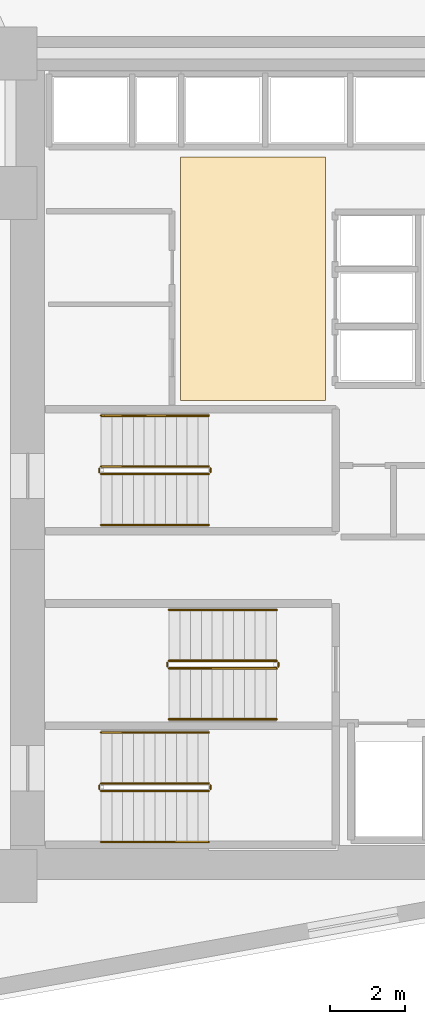
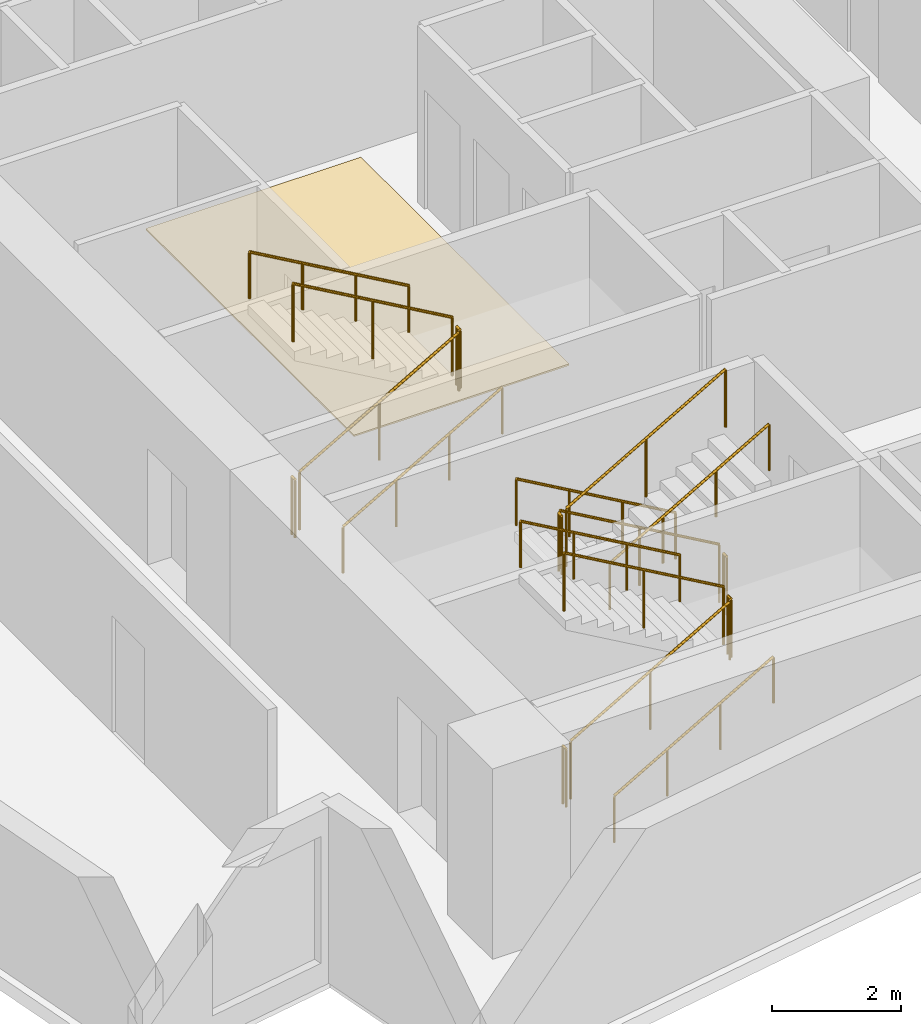
# One storey, part 18 of 19: 18 railings, 1 covering.
"""IFC4 building model written with IfcOpenShell, lengths in metres."""

from ifc_helpers import new_model, si_unit, direction, frame, origin, origin_2d, place, context, subcontext, project, spatial, polyline, circle, outline, extrude, material, layer, layer_set, type_object, element, save


model = new_model("IFC4")

# Units and contexts
model_context = context("Model", 3, precision=1e-05, world=origin(), true_north=direction((0.0, 1.0)))
body_context = subcontext(model_context, "Body", "Model", "MODEL_VIEW")
ifc_project = project(units=[si_unit("LENGTHUNIT", "METRE"), si_unit("AREAUNIT", "SQUARE_METRE"), si_unit("VOLUMEUNIT", "CUBIC_METRE"), si_unit("PLANEANGLEUNIT", "RADIAN"), si_unit("MASSUNIT", "GRAM", prefix="KILO")], contexts=[model_context])

# Site, building, storey
site_placement = place(None, origin())
site = spatial("IfcSite", under=ifc_project, at=site_placement, CompositionType="ELEMENT")
building_placement = place(site_placement, origin())
building = spatial("IfcBuilding", under=site, at=building_placement, Name="Narakoshi Arena Tower", CompositionType="ELEMENT")
storey_placement = place(building_placement, frame((0.0, 0.0, 117.300048828125)))
storey = spatial("IfcBuildingStorey", under=building, at=storey_placement, Name="L31", CompositionType="ELEMENT", Elevation=117.300048828125)

# Covering
ifc_material_1 = material(Name="Honed granite stone paving", Category="masonry")
ifc_layer = layer(ifc_material_1, 0.030029296875)
ifc_layer_set = layer_set([ifc_layer], Name="Honed granite stone paving")
covering_type = type_object("IfcCoveringType", Name="COV-FLR-ST30", PredefinedType="FLOORING", material=ifc_layer_set)
covering_placement = place(storey_placement, origin())
element("IfcCovering", 1, at=covering_placement, inside=storey, type_object=covering_type, Name="L31 Lift Lobby Granite Flooring", PredefinedType="FLOORING", context=body_context, shape_type="SweptSolid", body=[
    extrude(outline(polyline([(76.5, 47.300048828125), (80.35009765625, 47.300048828125), (80.35009765625, 53.75), (76.5, 53.75), (76.5, 47.300048828125)])), origin(), (0.0, 0.0, 1.0), 0.030029296875),
])

# Railings
ifc_material_2 = material(Name="Clear low-iron laminated structural glass", Category="glass")
railing_type_1 = type_object("IfcRailingType", Name="RL-BAL-1100", PredefinedType="BALUSTRADE", material=ifc_material_2)
railing_1_placement = place(storey_placement, frame((74.39990234375, 36.949951171875, 0.16357421875)))
element("IfcRailing", 2, at=railing_1_placement, inside=storey, type_object=railing_type_1, Name="L31 ST1 stair guard 1", PredefinedType="BALUSTRADE", context=body_context, shape_type="SweptSolid", body=[
    extrude(circle(Radius=0.02392578125, at=origin_2d()), frame((0.0, 0.0, 1.09619140625), z_axis=(0.86721270334, 0.0, 0.497937874806), x_axis=(0.0, 1.0, 0.0)), (0.0, 0.0, 1.0), 3.28662109375),
    extrude(circle(Radius=0.02099609375, at=origin_2d()), origin(), (0.0, 0.0, 1.0), 1.072021484375),
    extrude(circle(Radius=0.02099609375, at=origin_2d()), frame((1.425048828125, 0.0, 0.818359375)), (0.0, 0.0, 1.0), 1.072021484375),
    extrude(circle(Radius=0.02099609375, at=origin_2d()), frame((2.85009765625, 0.0, 1.636474609375)), (0.0, 0.0, 1.0), 1.072021484375),
])
railing_2_placement = place(storey_placement, frame((77.300048828125, 37.0, 1.800048828125)))
element("IfcRailing", 3, at=railing_2_placement, inside=storey, type_object=railing_type_1, Name="L31 ST1 stair guard 2", PredefinedType="BALUSTRADE", context=body_context, shape_type="SweptSolid", body=[
    extrude(circle(Radius=0.02392578125, at=origin_2d()), frame((0.0, 0.0, 1.09619140625), z_axis=(0.0, 1.0, 0.0), x_axis=(-1.0, 0.0, 0.0)), (0.0, 0.0, 1.0), 0.10009765625),
    extrude(circle(Radius=0.02099609375, at=origin_2d()), origin(), (0.0, 0.0, 1.0), 1.072021484375),
    extrude(circle(Radius=0.02099609375, at=origin_2d()), frame((0.0, 0.10009765625, 0.0)), (0.0, 0.0, 1.0), 1.072021484375),
])
railing_3_placement = place(storey_placement, frame((77.25, 37.14990234375, 1.963623046875)))
element("IfcRailing", 4, at=railing_3_placement, inside=storey, type_object=railing_type_1, Name="L31 ST1 stair guard 3", PredefinedType="BALUSTRADE", context=body_context, shape_type="SweptSolid", body=[
    extrude(circle(Radius=0.02392578125, at=origin_2d()), frame((0.0, 0.0, 1.09619140625), z_axis=(-0.867244780686, 0.0, 0.497882004468), x_axis=(0.0, -1.0, 0.0)), (0.0, 0.0, 1.0), 3.286376953125),
    extrude(circle(Radius=0.02099609375, at=origin_2d()), origin(), (0.0, 0.0, 1.0), 1.072021484375),
    extrude(circle(Radius=0.02099609375, at=origin_2d()), frame((-1.425048828125, 0.0, 0.818115234375)), (0.0, 0.0, 1.0), 1.072021484375),
    extrude(circle(Radius=0.02099609375, at=origin_2d()), frame((-2.85009765625, 0.0, 1.63623046875)), (0.0, 0.0, 1.0), 1.072021484375),
])
railing_4_placement = place(storey_placement, frame((74.35009765625, 37.0, 0.0)))
element("IfcRailing", 5, at=railing_4_placement, inside=storey, type_object=railing_type_1, Name="L31 ST1 stair guard 4", PredefinedType="BALUSTRADE", context=body_context, shape_type="SweptSolid", body=[
    extrude(circle(Radius=0.02392578125, at=origin_2d()), frame((0.0, 0.0, 1.09619140625), z_axis=(0.0, 1.0, 0.0), x_axis=(-1.0, 0.0, 0.0)), (0.0, 0.0, 1.0), 0.10009765625),
    extrude(circle(Radius=0.02099609375, at=origin_2d()), origin(), (0.0, 0.0, 1.0), 1.072021484375),
    extrude(circle(Radius=0.02099609375, at=origin_2d()), frame((0.0, 0.10009765625, 0.0)), (0.0, 0.0, 1.0), 1.072021484375),
])
railing_5_placement = place(storey_placement, frame((79.050048828125, 40.39990234375, 0.16357421875)))
element("IfcRailing", 6, at=railing_5_placement, inside=storey, type_object=railing_type_1, Name="L31 ST2 stair guard 1", PredefinedType="BALUSTRADE", context=body_context, shape_type="SweptSolid", body=[
    extrude(circle(Radius=0.02392578125, at=origin_2d()), frame((0.0, 0.0, 1.09619140625), z_axis=(-0.86721270334, 0.0, 0.497937874806), x_axis=(0.0, -1.0, 0.0)), (0.0, 0.0, 1.0), 3.28662109375),
    extrude(circle(Radius=0.02099609375, at=origin_2d()), origin(), (0.0, 0.0, 1.0), 1.072021484375),
    extrude(circle(Radius=0.02099609375, at=origin_2d()), frame((-1.425048828125, 0.0, 0.818359375)), (0.0, 0.0, 1.0), 1.072021484375),
    extrude(circle(Radius=0.02099609375, at=origin_2d()), frame((-2.85009765625, 0.0, 1.636474609375)), (0.0, 0.0, 1.0), 1.072021484375),
])
railing_6_placement = place(storey_placement, frame((76.14990234375, 40.35009765625, 1.800048828125)))
element("IfcRailing", 7, at=railing_6_placement, inside=storey, type_object=railing_type_1, Name="L31 ST2 stair guard 2", PredefinedType="BALUSTRADE", context=body_context, shape_type="SweptSolid", body=[
    extrude(circle(Radius=0.02392578125, at=origin_2d()), frame((0.0, 0.0, 1.09619140625), z_axis=(0.0, -1.0, 0.0), x_axis=(1.0, 0.0, 0.0)), (0.0, 0.0, 1.0), 0.10009765625),
    extrude(circle(Radius=0.02099609375, at=origin_2d()), origin(), (0.0, 0.0, 1.0), 1.072021484375),
    extrude(circle(Radius=0.02099609375, at=origin_2d()), frame((0.0, -0.10009765625, 0.0)), (0.0, 0.0, 1.0), 1.072021484375),
])
railing_7_placement = place(storey_placement, frame((76.199951171875, 40.199951171875, 1.963623046875)))
element("IfcRailing", 8, at=railing_7_placement, inside=storey, type_object=railing_type_1, Name="L31 ST2 stair guard 3", PredefinedType="BALUSTRADE", context=body_context, shape_type="SweptSolid", body=[
    extrude(circle(Radius=0.02392578125, at=origin_2d()), frame((0.0, 0.0, 1.09619140625), z_axis=(0.867244780686, 0.0, 0.497882004468), x_axis=(0.0, 1.0, 0.0)), (0.0, 0.0, 1.0), 3.286376953125),
    extrude(circle(Radius=0.02099609375, at=origin_2d()), origin(), (0.0, 0.0, 1.0), 1.072021484375),
    extrude(circle(Radius=0.02099609375, at=origin_2d()), frame((1.425048828125, 0.0, 0.818115234375)), (0.0, 0.0, 1.0), 1.072021484375),
    extrude(circle(Radius=0.02099609375, at=origin_2d()), frame((2.85009765625, 0.0, 1.63623046875)), (0.0, 0.0, 1.0), 1.072021484375),
])
railing_8_placement = place(storey_placement, frame((79.10009765625, 40.35009765625, 0.0)))
element("IfcRailing", 9, at=railing_8_placement, inside=storey, type_object=railing_type_1, Name="L31 ST2 stair guard 4", PredefinedType="BALUSTRADE", context=body_context, shape_type="SweptSolid", body=[
    extrude(circle(Radius=0.02392578125, at=origin_2d()), frame((0.0, 0.0, 1.09619140625), z_axis=(0.0, -1.0, 0.0), x_axis=(1.0, 0.0, 0.0)), (0.0, 0.0, 1.0), 0.10009765625),
    extrude(circle(Radius=0.02099609375, at=origin_2d()), origin(), (0.0, 0.0, 1.0), 1.072021484375),
    extrude(circle(Radius=0.02099609375, at=origin_2d()), frame((0.0, -0.10009765625, 0.0)), (0.0, 0.0, 1.0), 1.072021484375),
])
railing_9_placement = place(storey_placement, frame((74.39990234375, 45.35009765625, 0.16357421875)))
element("IfcRailing", 10, at=railing_9_placement, inside=storey, type_object=railing_type_1, Name="L31 ST3 stair guard 1", PredefinedType="BALUSTRADE", context=body_context, shape_type="SweptSolid", body=[
    extrude(circle(Radius=0.02392578125, at=origin_2d()), frame((0.0, 0.0, 1.09619140625), z_axis=(0.86721270334, 0.0, 0.497937874806), x_axis=(0.0, 1.0, 0.0)), (0.0, 0.0, 1.0), 3.28662109375),
    extrude(circle(Radius=0.02099609375, at=origin_2d()), origin(), (0.0, 0.0, 1.0), 1.072021484375),
    extrude(circle(Radius=0.02099609375, at=origin_2d()), frame((1.425048828125, 0.0, 0.818359375)), (0.0, 0.0, 1.0), 1.072021484375),
    extrude(circle(Radius=0.02099609375, at=origin_2d()), frame((2.85009765625, 0.0, 1.636474609375)), (0.0, 0.0, 1.0), 1.072021484375),
])
railing_10_placement = place(storey_placement, frame((77.300048828125, 45.39990234375, 1.800048828125)))
element("IfcRailing", 11, at=railing_10_placement, inside=storey, type_object=railing_type_1, Name="L31 ST3 stair guard 2", PredefinedType="BALUSTRADE", context=body_context, shape_type="SweptSolid", body=[
    extrude(circle(Radius=0.02392578125, at=origin_2d()), frame((0.0, 0.0, 1.09619140625), z_axis=(0.0, 1.0, 0.0), x_axis=(-1.0, 0.0, 0.0)), (0.0, 0.0, 1.0), 0.10009765625),
    extrude(circle(Radius=0.02099609375, at=origin_2d()), origin(), (0.0, 0.0, 1.0), 1.072021484375),
    extrude(circle(Radius=0.02099609375, at=origin_2d()), frame((0.0, 0.10009765625, 0.0)), (0.0, 0.0, 1.0), 1.072021484375),
])
railing_11_placement = place(storey_placement, frame((77.25, 45.550048828125, 1.963623046875)))
element("IfcRailing", 12, at=railing_11_placement, inside=storey, type_object=railing_type_1, Name="L31 ST3 stair guard 3", PredefinedType="BALUSTRADE", context=body_context, shape_type="SweptSolid", body=[
    extrude(circle(Radius=0.02392578125, at=origin_2d()), frame((0.0, 0.0, 1.09619140625), z_axis=(-0.867244780686, 0.0, 0.497882004468), x_axis=(0.0, -1.0, 0.0)), (0.0, 0.0, 1.0), 3.286376953125),
    extrude(circle(Radius=0.02099609375, at=origin_2d()), origin(), (0.0, 0.0, 1.0), 1.072021484375),
    extrude(circle(Radius=0.02099609375, at=origin_2d()), frame((-1.425048828125, 0.0, 0.818115234375)), (0.0, 0.0, 1.0), 1.072021484375),
    extrude(circle(Radius=0.02099609375, at=origin_2d()), frame((-2.85009765625, 0.0, 1.63623046875)), (0.0, 0.0, 1.0), 1.072021484375),
])
railing_12_placement = place(storey_placement, frame((74.35009765625, 45.39990234375, 0.0)))
element("IfcRailing", 13, at=railing_12_placement, inside=storey, type_object=railing_type_1, Name="L31 ST3 stair guard 4", PredefinedType="BALUSTRADE", context=body_context, shape_type="SweptSolid", body=[
    extrude(circle(Radius=0.02392578125, at=origin_2d()), frame((0.0, 0.0, 1.09619140625), z_axis=(0.0, 1.0, 0.0), x_axis=(-1.0, 0.0, 0.0)), (0.0, 0.0, 1.0), 0.10009765625),
    extrude(circle(Radius=0.02099609375, at=origin_2d()), origin(), (0.0, 0.0, 1.0), 1.072021484375),
    extrude(circle(Radius=0.02099609375, at=origin_2d()), frame((0.0, 0.10009765625, 0.0)), (0.0, 0.0, 1.0), 1.072021484375),
])
ifc_material_3 = material(Name="Brushed bronze stainless steel", Category="steel")
railing_type_2 = type_object("IfcRailingType", Name="RL-HND-900", PredefinedType="HANDRAIL", material=ifc_material_3)
railing_13_placement = place(storey_placement, frame((74.39990234375, 35.60009765625, 0.16357421875)))
element("IfcRailing", 14, at=railing_13_placement, inside=storey, type_object=railing_type_2, Name="L31 ST1 stair handrail 1", PredefinedType="HANDRAIL", context=body_context, shape_type="SweptSolid", body=[
    extrude(circle(Radius=0.02392578125, at=origin_2d()), frame((0.0, 0.0, 0.8759765625), z_axis=(0.86721270334, 0.0, 0.497937874806), x_axis=(0.0, 1.0, 0.0)), (0.0, 0.0, 1.0), 3.28662109375),
    extrude(circle(Radius=0.02099609375, at=origin_2d()), origin(), (0.0, 0.0, 1.0), 0.851806640625),
    extrude(circle(Radius=0.02099609375, at=origin_2d()), frame((0.949951171875, 0.0, 0.54541015625)), (0.0, 0.0, 1.0), 0.851806640625),
    extrude(circle(Radius=0.02099609375, at=origin_2d()), frame((1.900146484375, 0.0, 1.091064453125)), (0.0, 0.0, 1.0), 0.851806640625),
    extrude(circle(Radius=0.02099609375, at=origin_2d()), frame((2.85009765625, 0.0, 1.636474609375)), (0.0, 0.0, 1.0), 0.851806640625),
])
railing_14_placement = place(storey_placement, frame((77.25, 38.5, 1.963623046875)))
element("IfcRailing", 15, at=railing_14_placement, inside=storey, type_object=railing_type_2, Name="L31 ST1 stair handrail 2", PredefinedType="HANDRAIL", context=body_context, shape_type="SweptSolid", body=[
    extrude(circle(Radius=0.02392578125, at=origin_2d()), frame((0.0, 0.0, 0.8759765625), z_axis=(-0.867244780686, 0.0, 0.497882004468), x_axis=(0.0, -1.0, 0.0)), (0.0, 0.0, 1.0), 3.286376953125),
    extrude(circle(Radius=0.02099609375, at=origin_2d()), origin(), (0.0, 0.0, 1.0), 0.851806640625),
    extrude(circle(Radius=0.02099609375, at=origin_2d()), frame((-0.949951171875, 0.0, 0.54541015625)), (0.0, 0.0, 1.0), 0.851806640625),
    extrude(circle(Radius=0.02099609375, at=origin_2d()), frame((-1.900146484375, 0.0, 1.0908203125)), (0.0, 0.0, 1.0), 0.851806640625),
    extrude(circle(Radius=0.02099609375, at=origin_2d()), frame((-2.85009765625, 0.0, 1.63623046875)), (0.0, 0.0, 1.0), 0.851806640625),
])
railing_15_placement = place(storey_placement, frame((79.050048828125, 41.75, 0.16357421875)))
element("IfcRailing", 16, at=railing_15_placement, inside=storey, type_object=railing_type_2, Name="L31 ST2 stair handrail 1", PredefinedType="HANDRAIL", context=body_context, shape_type="SweptSolid", body=[
    extrude(circle(Radius=0.02392578125, at=origin_2d()), frame((0.0, 0.0, 0.8759765625), z_axis=(-0.86721270334, 0.0, 0.497937874806), x_axis=(0.0, -1.0, 0.0)), (0.0, 0.0, 1.0), 3.28662109375),
    extrude(circle(Radius=0.02099609375, at=origin_2d()), origin(), (0.0, 0.0, 1.0), 0.851806640625),
    extrude(circle(Radius=0.02099609375, at=origin_2d()), frame((-0.949951171875, 0.0, 0.54541015625)), (0.0, 0.0, 1.0), 0.851806640625),
    extrude(circle(Radius=0.02099609375, at=origin_2d()), frame((-1.900146484375, 0.0, 1.091064453125)), (0.0, 0.0, 1.0), 0.851806640625),
    extrude(circle(Radius=0.02099609375, at=origin_2d()), frame((-2.85009765625, 0.0, 1.636474609375)), (0.0, 0.0, 1.0), 0.851806640625),
])
railing_16_placement = place(storey_placement, frame((76.199951171875, 38.85009765625, 1.963623046875)))
element("IfcRailing", 17, at=railing_16_placement, inside=storey, type_object=railing_type_2, Name="L31 ST2 stair handrail 2", PredefinedType="HANDRAIL", context=body_context, shape_type="SweptSolid", body=[
    extrude(circle(Radius=0.02392578125, at=origin_2d()), frame((0.0, 0.0, 0.8759765625), z_axis=(0.867244780686, 0.0, 0.497882004468), x_axis=(0.0, 1.0, 0.0)), (0.0, 0.0, 1.0), 3.286376953125),
    extrude(circle(Radius=0.02099609375, at=origin_2d()), origin(), (0.0, 0.0, 1.0), 0.851806640625),
    extrude(circle(Radius=0.02099609375, at=origin_2d()), frame((0.949951171875, 0.0, 0.54541015625)), (0.0, 0.0, 1.0), 0.851806640625),
    extrude(circle(Radius=0.02099609375, at=origin_2d()), frame((1.900146484375, 0.0, 1.0908203125)), (0.0, 0.0, 1.0), 0.851806640625),
    extrude(circle(Radius=0.02099609375, at=origin_2d()), frame((2.85009765625, 0.0, 1.63623046875)), (0.0, 0.0, 1.0), 0.851806640625),
])
railing_17_placement = place(storey_placement, frame((74.39990234375, 44.0, 0.16357421875)))
element("IfcRailing", 18, at=railing_17_placement, inside=storey, type_object=railing_type_2, Name="L31 ST3 stair handrail 1", PredefinedType="HANDRAIL", context=body_context, shape_type="SweptSolid", body=[
    extrude(circle(Radius=0.02392578125, at=origin_2d()), frame((0.0, 0.0, 0.8759765625), z_axis=(0.86721270334, 0.0, 0.497937874806), x_axis=(0.0, 1.0, 0.0)), (0.0, 0.0, 1.0), 3.28662109375),
    extrude(circle(Radius=0.02099609375, at=origin_2d()), origin(), (0.0, 0.0, 1.0), 0.851806640625),
    extrude(circle(Radius=0.02099609375, at=origin_2d()), frame((0.949951171875, 0.0, 0.54541015625)), (0.0, 0.0, 1.0), 0.851806640625),
    extrude(circle(Radius=0.02099609375, at=origin_2d()), frame((1.900146484375, 0.0, 1.091064453125)), (0.0, 0.0, 1.0), 0.851806640625),
    extrude(circle(Radius=0.02099609375, at=origin_2d()), frame((2.85009765625, 0.0, 1.636474609375)), (0.0, 0.0, 1.0), 0.851806640625),
])
railing_18_placement = place(storey_placement, frame((77.25, 46.89990234375, 1.963623046875)))
element("IfcRailing", 19, at=railing_18_placement, inside=storey, type_object=railing_type_2, Name="L31 ST3 stair handrail 2", PredefinedType="HANDRAIL", context=body_context, shape_type="SweptSolid", body=[
    extrude(circle(Radius=0.02392578125, at=origin_2d()), frame((0.0, 0.0, 0.8759765625), z_axis=(-0.867244780686, 0.0, 0.497882004468), x_axis=(0.0, -1.0, 0.0)), (0.0, 0.0, 1.0), 3.286376953125),
    extrude(circle(Radius=0.02099609375, at=origin_2d()), origin(), (0.0, 0.0, 1.0), 0.851806640625),
    extrude(circle(Radius=0.02099609375, at=origin_2d()), frame((-0.949951171875, 0.0, 0.54541015625)), (0.0, 0.0, 1.0), 0.851806640625),
    extrude(circle(Radius=0.02099609375, at=origin_2d()), frame((-1.900146484375, 0.0, 1.0908203125)), (0.0, 0.0, 1.0), 0.851806640625),
    extrude(circle(Radius=0.02099609375, at=origin_2d()), frame((-2.85009765625, 0.0, 1.63623046875)), (0.0, 0.0, 1.0), 0.851806640625),
])

save(model, "model.ifc")
